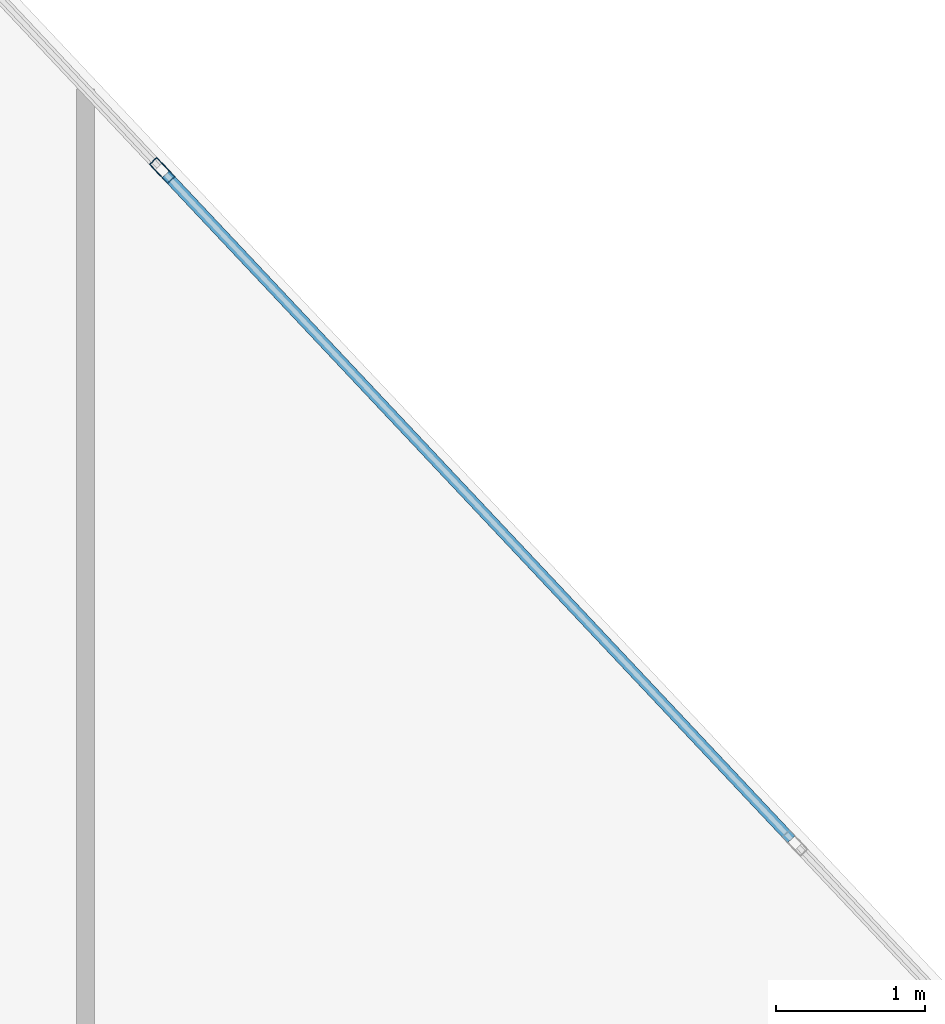
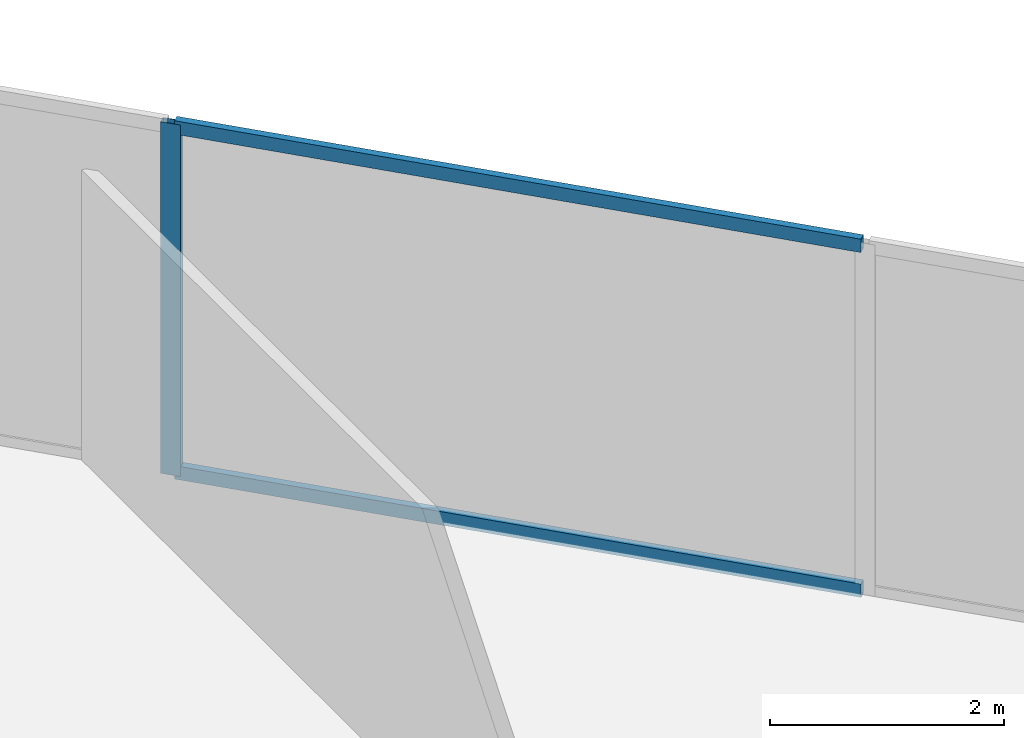
# One storey, part 19 of 24: 3 members, 1 element without a shape of its own.
"""IFC4 building model written with IfcOpenShell, lengths in metres."""

from ifc_helpers import new_model, si_unit, direction, frame, origin, origin_2d, place, context, subcontext, project, spatial, hollow_rectangle, extrude, source, transform, mapped, material, material_profile, profile_set, type_object, type_shapes, element, aggregate, save


model = new_model("IFC4")

# Units and contexts
model_context = context("Model", 3, precision=1e-05, world=origin(), true_north=direction((0.0, 1.0)))
body_context = subcontext(model_context, "Body", "Model", "MODEL_VIEW")
ifc_project = project(units=[si_unit("LENGTHUNIT", "METRE"), si_unit("AREAUNIT", "SQUARE_METRE"), si_unit("VOLUMEUNIT", "CUBIC_METRE"), si_unit("PLANEANGLEUNIT", "RADIAN"), si_unit("MASSUNIT", "GRAM", prefix="KILO")], contexts=[model_context])

# Site, building, storey
site_placement = place(None, origin())
site = spatial("IfcSite", under=ifc_project, at=site_placement, CompositionType="ELEMENT")
building_placement = place(site_placement, origin())
building = spatial("IfcBuilding", under=site, at=building_placement, Name="Krantzveldt Concourse Tower", CompositionType="ELEMENT")
storey_placement = place(building_placement, frame((0.0, 0.0, 246.800048828125)))
storey = spatial("IfcBuildingStorey", under=building, at=storey_placement, Name="L60", CompositionType="ELEMENT", Elevation=246.800048828125)

# Curtain wall, members
ifc_material = material(Name="Anodised aluminium 6063-T6", Category="aluminium")
curtain_wall_type = type_object("IfcCurtainWallType", Name="CW3", PredefinedType="USERDEFINED", material=ifc_material)
curtain_wall_placement = place(storey_placement, origin())
curtain_wall = element("IfcCurtainWall", 1, at=curtain_wall_placement, inside=storey, type_object=curtain_wall_type, Name="CW-L60-F14", ObjectType="UNITISED CURTAIN WALL", PredefinedType="USERDEFINED")
ifc_material_profile_1 = material_profile(ifc_material, hollow_rectangle(XDim=0.070068359375, YDim=0.179931640625, WallThickness=0.0048828125, at=origin_2d()), Name="Anodised aluminium 6063-T6", Category="aluminium")
ifc_profile_set_1 = profile_set([ifc_material_profile_1], Name="Anodised aluminium 6063-T6 - ALU-MULL 180x70x5")
member_type_1 = type_object("IfcMemberType", Name="CW-MUL-180", PredefinedType="MULLION", material=ifc_profile_set_1)
shared_shape_1 = source(origin(), body_context, "Body", "SweptSolid", [
    extrude(hollow_rectangle(XDim=0.070068359375, YDim=0.179931640625, WallThickness=0.0048828125, at=origin_2d()), origin(), (0.0, 0.0, 1.0), 3.669921875),
])
type_shapes(member_type_1, [shared_shape_1])
member_1_placement = place(storey_placement, frame((44.493896484375, 47.45849609375, 0.0), z_axis=(0.0, 0.0, 1.0), x_axis=(-0.728371012348, -0.685182945184, 0.0)))
member_1 = element("IfcMember", 2, at=member_1_placement, type_object=member_type_1, Name="CW-Z34 mullion 5", PredefinedType="MULLION", context=body_context, shape_type="MappedRepresentation", body=[
    mapped(shared_shape_1, transform((0.0, 0.0, 0.0), x_axis=(1.0, 0.0, 0.0), y_axis=(0.0, 1.0, 0.0), z_axis=(0.0, 0.0, 1.0), scale=1.0)),
])
ifc_material_profile_2 = material_profile(ifc_material, hollow_rectangle(XDim=0.070068359375, YDim=0.139892578125, WallThickness=0.0048828125, at=origin_2d()), Name="Anodised aluminium 6063-T6", Category="aluminium")
ifc_profile_set_2 = profile_set([ifc_material_profile_2], Name="Anodised aluminium 6063-T6 - ALU-TRAN 140x70x5")
member_type_2 = type_object("IfcMemberType", Name="CW-TRN-150", PredefinedType="USERDEFINED", material=ifc_profile_set_2)
shared_shape_2 = source(origin(), body_context, "Body", "SweptSolid", [
    extrude(hollow_rectangle(XDim=0.070068359375, YDim=0.139892578125, WallThickness=0.0048828125, at=origin_2d()), origin(), (0.0, 0.0, 1.0), 6.1298828125),
])
type_shapes(member_type_2, [shared_shape_2])
member_2_placement = place(storey_placement, frame((48.718017578125, 42.968017578125, 0.034912109375), z_axis=(-0.685190754255, 0.72836366623, 0.0), x_axis=(-0.72836366623, -0.685190754255, 0.0)))
member_2 = element("IfcMember", 3, at=member_2_placement, type_object=member_type_2, Name="CW-Z34 transom 4.1", ObjectType="TRANSOM", PredefinedType="USERDEFINED", context=body_context, shape_type="MappedRepresentation", body=[
    mapped(shared_shape_2, transform((0.0, 0.0, 0.0), x_axis=(1.0, 0.0, 0.0), y_axis=(0.0, 1.0, 0.0), z_axis=(0.0, 0.0, 1.0), scale=1.0)),
])
member_3_placement = place(storey_placement, frame((48.718017578125, 42.968017578125, 3.635009765625), z_axis=(-0.685190754255, 0.72836366623, 0.0), x_axis=(-0.72836366623, -0.685190754255, 0.0)))
member_3 = element("IfcMember", 4, at=member_3_placement, type_object=member_type_2, Name="CW-Z34 transom 4.2", ObjectType="TRANSOM", PredefinedType="USERDEFINED", context=body_context, shape_type="MappedRepresentation", body=[
    mapped(shared_shape_2, transform((0.0, 0.0, 0.0), x_axis=(1.0, 0.0, 0.0), y_axis=(0.0, 1.0, 0.0), z_axis=(0.0, 0.0, 1.0), scale=1.0)),
])
aggregate(curtain_wall, [member_1, member_2, member_3])

save(model, "model.ifc")
